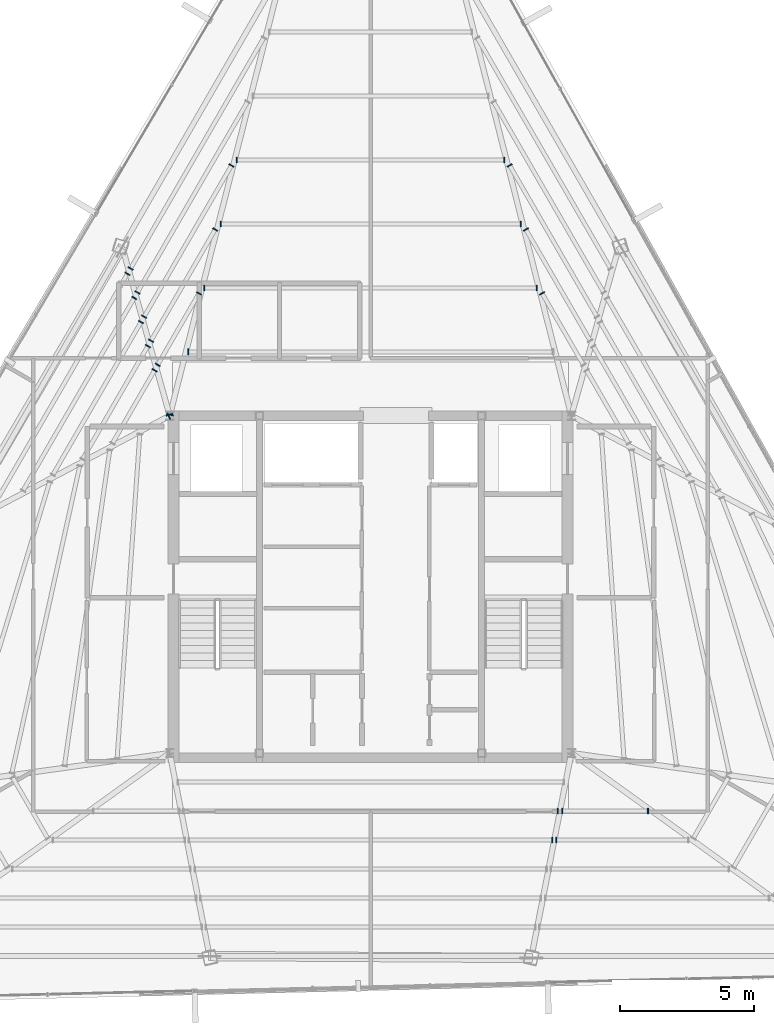
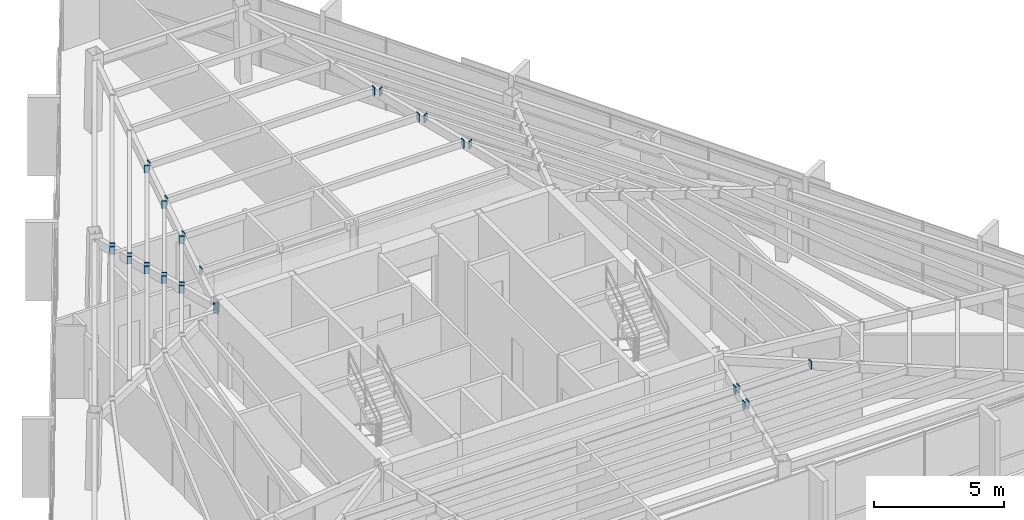
# One storey, part 41 of 48: 31 plates.
"""IFC4 building model written with IfcOpenShell, lengths in metres."""

from ifc_helpers import new_model, si_unit, direction, frame, origin, origin_2d, place, context, subcontext, project, spatial, rectangle, extrude, source, transform, mapped, material, layer, layer_set, type_object, type_shapes, element, save


model = new_model("IFC4")

# Units and contexts
model_context = context("Model", 3, precision=1e-05, world=origin(), true_north=direction((0.0, 1.0)))
body_context = subcontext(model_context, "Body", "Model", "MODEL_VIEW")
ifc_project = project(units=[si_unit("LENGTHUNIT", "METRE"), si_unit("AREAUNIT", "SQUARE_METRE"), si_unit("VOLUMEUNIT", "CUBIC_METRE"), si_unit("PLANEANGLEUNIT", "RADIAN"), si_unit("MASSUNIT", "GRAM", prefix="KILO")], contexts=[model_context])

# Site, building, storey
site_placement = place(None, origin())
site = spatial("IfcSite", under=ifc_project, at=site_placement, CompositionType="ELEMENT")
building_placement = place(site_placement, origin())
building = spatial("IfcBuilding", under=site, at=building_placement, Name="Caelisora Broadcast Tower", CompositionType="ELEMENT")
storey_placement = place(building_placement, frame((0.0, 0.0, 277.300048828125)))
storey = spatial("IfcBuildingStorey", under=building, at=storey_placement, Name="L73", CompositionType="ELEMENT", Elevation=277.300048828125)

# Plates
ifc_material = material(Name="Steel Grade 350 L15 (AS/NZS 3678)", Category="steel")
ifc_layer = layer(ifc_material, 0.0400390625, Name="Steel Grade 350 L15 (AS/NZS 3678)")
ifc_layer_set = layer_set([ifc_layer], Name="Steel Grade 350 L15 (AS/NZS 3678)")
plate_type = type_object("IfcPlateType", Name="GP04", PredefinedType="USERDEFINED", material=ifc_layer_set)
shared_shape_1 = source(origin(), body_context, "Body", "SweptSolid", [
    extrude(rectangle(XDim=0.260009765625, YDim=0.0400390625, at=origin_2d()), origin(), (0.0, 0.0, 1.0), 0.4599609375),
])
for number, where, z_axis, x_axis, name in (
    (1, (30.509765625, 30.038818359375, 2.969970703125), (0.0, 0.0, 1.0), (-0.969316774365, 0.245814952628, 0.0), "L73 gusset plate GP04 (ND-RAD-L73-02)"),
    (2, (30.4892578125, 30.03857421875, 2.969970703125), (0.0, 0.0, 1.0), (-0.962549928407, -0.271104473079, 0.0), "L73 gusset plate GP04 (ND-RAD-L73-03)"),
    (3, (30.464599609375, 29.981201171875, 2.969970703125), (0.0, 0.0, 1.0), (0.467467011537, -0.884010516411, 0.0), "L73 gusset plate GP04 (ND-RAD-L73-04)"),
):
    element("IfcPlate", number, at=place(storey_placement, frame(where, z_axis=z_axis, x_axis=x_axis)), inside=storey, type_object=plate_type, Name=name, ObjectType="GUSSET PLATE", PredefinedType="USERDEFINED", context=body_context, shape_type="MappedRepresentation", body=[
        mapped(shared_shape_1, transform((0.0, 0.0, 0.0), scale=1.0)),
    ])
shared_shape_2 = source(origin(), body_context, "Body", "SweptSolid", [
    extrude(rectangle(XDim=0.2099609375, YDim=0.0400390625, at=origin_2d()), origin(), (0.0, 0.0, 1.0), 0.360107421875),
])
type_shapes(plate_type, [shared_shape_1, shared_shape_2])
for number, where, z_axis, x_axis, name in (
    (4, (31.18603515625, 32.38818359375, 3.06982421875), (0.0, 0.0, 1.0), (0.0, -1.0, 0.0), "L73 gusset plate GP04 (ND-SB-L73-001B)"),
    (5, (44.208251953125, 34.776611328125, 3.06982421875), (0.0, 0.0, 1.0), (0.0, -1.0, 0.0), "L73 gusset plate GP04 (ND-SB-L73-002A)"),
    (6, (31.791748046875, 34.776611328125, 3.06982421875), (0.0, 0.0, 1.0), (0.0, -1.0, 0.0), "L73 gusset plate GP04 (ND-SB-L73-002B)"),
    (7, (43.6025390625, 37.164794921875, 3.06982421875), (0.0, 0.0, 1.0), (0.0, -1.0, 0.0), "L73 gusset plate GP04 (ND-SB-L73-003A)"),
    (8, (32.3974609375, 37.164794921875, 3.06982421875), (0.0, 0.0, 1.0), (0.0, -1.0, 0.0), "L73 gusset plate GP04 (ND-SB-L73-003B)"),
    (9, (42.99658203125, 39.552978515625, 3.06982421875), (0.0, 0.0, 1.0), (0.0, -1.0, 0.0), "L73 gusset plate GP04 (ND-SB-L73-004A)"),
    (10, (33.00341796875, 39.552978515625, 3.06982421875), (0.0, 0.0, 1.0), (0.0, -1.0, 0.0), "L73 gusset plate GP04 (ND-SB-L73-004B)"),
    (11, (31.59130859375, 34.568603515625, 3.06982421875), (0.0, 0.0, 1.0), (0.866025403784, -0.5, 0.0), "L73 gusset plate GP04 (ND-SB-L73-007A)"),
    (12, (30.051513671875, 31.90087890625, 3.06982421875), (0.0, 0.0, 1.0), (0.866025403784, -0.5, 0.0), "L73 gusset plate GP04 (ND-SB-L73-007B)"),
    (13, (32.197265625, 36.956787109375, 3.06982421875), (0.0, 0.0, 1.0), (0.866025403784, -0.5, 0.0), "L73 gusset plate GP04 (ND-SB-L73-008A)"),
    (14, (29.7978515625, 32.801025390625, 3.06982421875), (0.0, 0.0, 1.0), (0.866025403784, -0.5, 0.0), "L73 gusset plate GP04 (ND-SB-L73-008B)"),
    (15, (32.802978515625, 39.34521484375, 3.06982421875), (0.0, 0.0, 1.0), (0.866025403784, -0.5, 0.0), "L73 gusset plate GP04 (ND-SB-L73-009A)"),
    (16, (29.54443359375, 33.700927734375, 3.06982421875), (0.0, 0.0, 1.0), (0.866025403784, -0.5, 0.0), "L73 gusset plate GP04 (ND-SB-L73-009B)"),
    (17, (29.291015625, 34.60107421875, 3.06982421875), (0.0, 0.0, 1.0), (0.866025403784, -0.5, 0.0), "L73 gusset plate GP04 (ND-SB-L73-010B)"),
    (18, (29.037353515625, 35.5009765625, 3.06982421875), (0.0, 0.0, 1.0), (0.866025403784, -0.5, 0.0), "L73 gusset plate GP04 (ND-SB-L73-011B)"),
    (19, (29.934814453125, 31.698974609375, 3.06982421875), (0.0, 0.0, 1.0), (0.866025403784, -0.5, 0.0), "L73 gusset plate GP04 (ND-SB-L73-012A)"),
    (20, (29.68115234375, 32.598876953125, 3.06982421875), (0.0, 0.0, 1.0), (0.866025403784, -0.5, 0.0), "L73 gusset plate GP04 (ND-SB-L73-013A)"),
    (21, (29.427734375, 33.498779296875, 3.06982421875), (0.0, 0.0, 1.0), (0.866025403784, -0.5, 0.0), "L73 gusset plate GP04 (ND-SB-L73-014A)"),
    (22, (29.17431640625, 34.39892578125, 3.06982421875), (0.0, 0.0, 1.0), (0.866025403784, -0.5, 0.0), "L73 gusset plate GP04 (ND-SB-L73-015A)"),
    (23, (28.920654296875, 35.298828125, 3.06982421875), (0.0, 0.0, 1.0), (0.866025403784, -0.5, 0.0), "L73 gusset plate GP04 (ND-SB-L73-016A)"),
    (24, (44.996826171875, 15.23388671875, 3.06982421875), (0.0, 0.0, 1.0), (0.0, 1.0, 0.0), "L73 gusset plate GP04 (ND-SB-L73-032B)"),
    (25, (44.78466796875, 14.150634765625, 3.06982421875), (0.0, 0.0, 1.0), (0.0, 1.0, 0.0), "L73 gusset plate GP04 (ND-SB-L73-033B)"),
    (26, (45.154541015625, 15.23388671875, 3.06982421875), (0.0, 0.0, 1.0), (0.0, 1.0, 0.0), "L73 gusset plate GP04 (ND-SB-L73-037A)"),
    (27, (48.364501953125, 15.23388671875, 3.06982421875), (0.0, 0.0, 1.0), (0.0, 1.0, 0.0), "L73 gusset plate GP04 (ND-SB-L73-037B)"),
    (28, (44.9423828125, 14.150634765625, 3.06982421875), (0.0, 0.0, 1.0), (0.0, 1.0, 0.0), "L73 gusset plate GP04 (ND-SB-L73-038A)"),
    (29, (44.40869140625, 34.568603515625, 3.06982421875), (0.0, 0.0, 1.0), (-0.866025403784, -0.5, 0.0), "L73 gusset plate GP04 (ND-SB-L73-056B)"),
    (30, (43.802734375, 36.956787109375, 3.06982421875), (0.0, 0.0, 1.0), (-0.866025403784, -0.5, 0.0), "L73 gusset plate GP04 (ND-SB-L73-057B)"),
    (31, (43.197021484375, 39.34521484375, 3.06982421875), (0.0, 0.0, 1.0), (-0.866025403784, -0.5, 0.0), "L73 gusset plate GP04 (ND-SB-L73-058B)"),
):
    element("IfcPlate", number, at=place(storey_placement, frame(where, z_axis=z_axis, x_axis=x_axis)), inside=storey, type_object=plate_type, Name=name, ObjectType="GUSSET PLATE", PredefinedType="USERDEFINED", context=body_context, shape_type="MappedRepresentation", body=[
        mapped(shared_shape_2, transform((0.0, 0.0, 0.0), scale=1.0)),
    ])

save(model, "model.ifc")
